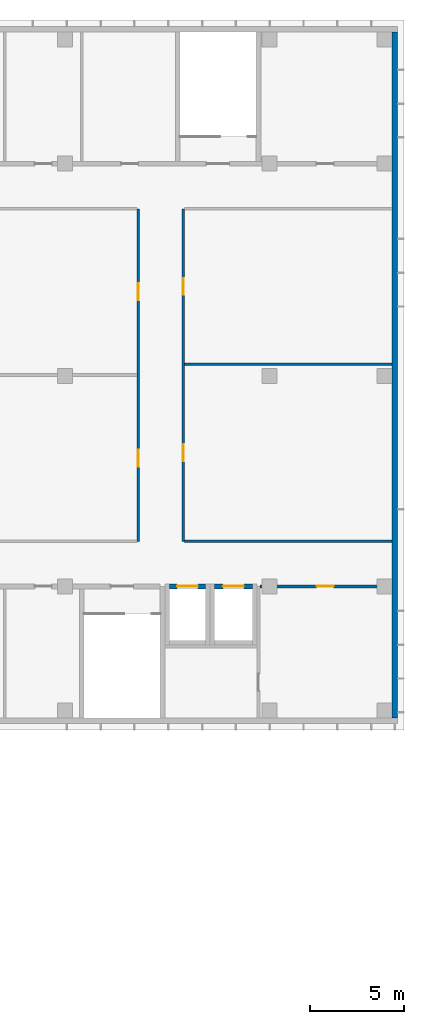
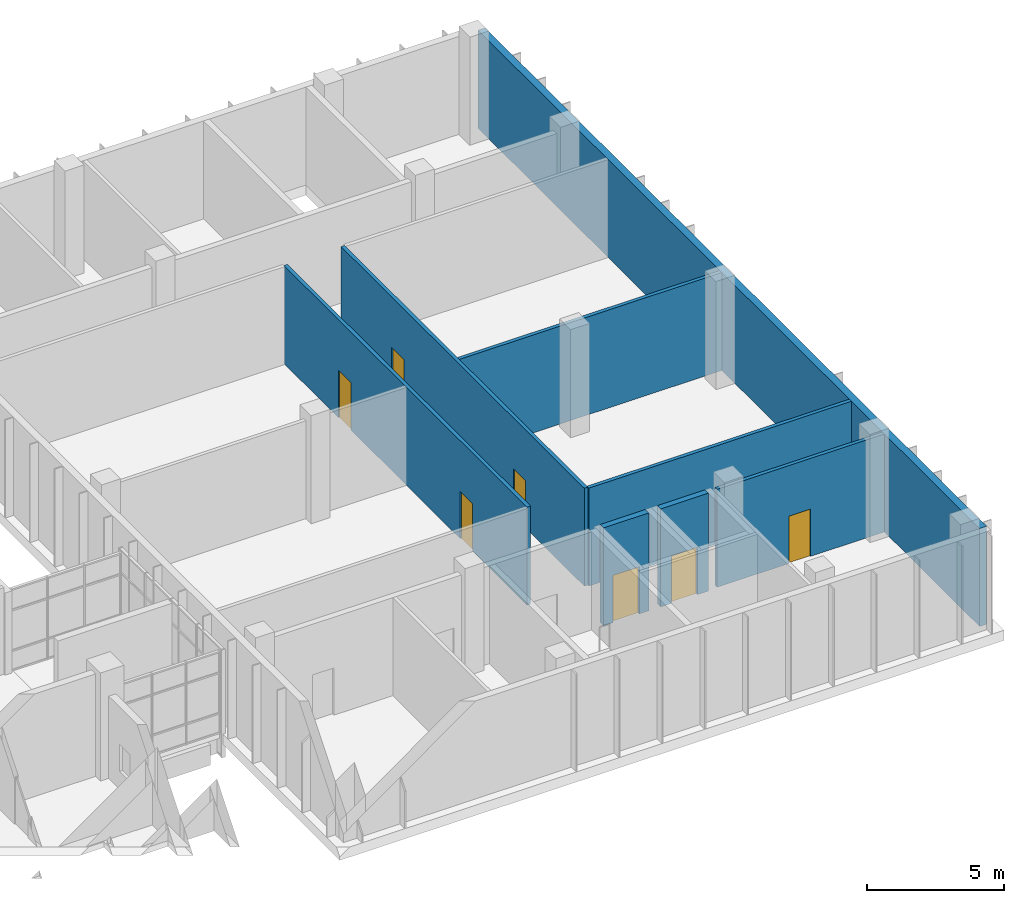
# One storey, part 36 of 45: 8 walls, 7 doors, 7 openings.
"""IFC4 building model written with IfcOpenShell, lengths in metres."""

from ifc_helpers import new_model, si_unit, direction, frame, frame_2d, origin, place, context, subcontext, project, spatial, rectangle, extrude, material, layer, layer_set, type_object, element, fill, save


model = new_model("IFC4")

# Units and contexts
model_context = context("Model", 3, precision=1e-05, world=origin(), true_north=direction((0.0, 1.0)))
body_context = subcontext(model_context, "Body", "Model", "MODEL_VIEW")
ifc_project = project(units=[si_unit("LENGTHUNIT", "METRE"), si_unit("AREAUNIT", "SQUARE_METRE"), si_unit("VOLUMEUNIT", "CUBIC_METRE"), si_unit("PLANEANGLEUNIT", "RADIAN"), si_unit("MASSUNIT", "GRAM", prefix="KILO")], contexts=[model_context])

# Site, building, storey
site_placement = place(None, origin())
site = spatial("IfcSite", under=ifc_project, at=site_placement, CompositionType="ELEMENT")
building_placement = place(site_placement, origin())
building = spatial("IfcBuilding", under=site, at=building_placement, Name="Basin Gate Institute", CompositionType="ELEMENT")
storey_placement = place(building_placement, frame((0.0, 0.0, 22.199951171875)))
storey = spatial("IfcBuildingStorey", under=building, at=storey_placement, Name="L04", CompositionType="ELEMENT", Elevation=22.199951171875)

# Wall
ifc_material_1 = material(Name="Insulated sandwich panel, mineral wool core, galvanised sheet faces")
ifc_layer_1 = layer(ifc_material_1, 0.300048828125)
ifc_layer_set_1 = layer_set([ifc_layer_1], Name="Clean block insulated panel wall W80 EI 60")
wall_type_1 = type_object("IfcWallType", Name="Clean block insulated panel wall W80 EI 60", PredefinedType="SOLIDWALL", material=ifc_layer_set_1)
wall_1_placement = place(storey_placement, frame((151.050048828125, 70.300048828125, 0.0), z_axis=(0.0, 0.0, 1.0), x_axis=(0.0, 1.0, 0.0)))
element("IfcWall", 1, at=wall_1_placement, inside=storey, type_object=wall_type_1, material=ifc_layer_set_1, Name="Clean block insulated panel wall east L04", PredefinedType="SOLIDWALL", context=body_context, shape_type="SweptSolid", body=[
    extrude(rectangle(XDim=36.5, YDim=0.300048828125, at=frame_2d((18.25, 0.0))), origin(), (0.0, 0.0, 1.0), 4.35009765625),
])

# Wall, opening, door
ifc_material_2 = material(Name="Gypsum board partition on steel studs, 60 minute", Category="steel")
ifc_layer_2 = layer(ifc_material_2, 0.14990234375)
ifc_layer_set_2 = layer_set([ifc_layer_2], Name="Gypsum board partition on steel studs, 60 minute")
wall_type_2 = type_object("IfcWallType", Name="Clean block partition PW72 EI 60", PredefinedType="SOLIDWALL", material=ifc_layer_set_2)
wall_2_placement = place(storey_placement, frame((143.875, 77.300048828125, 0.0), z_axis=(0.0, 0.0, 1.0), x_axis=(1.0, 0.0, 0.0)))
wall_2 = element("IfcWall", 2, at=wall_2_placement, inside=storey, type_object=wall_type_2, material=ifc_layer_set_2, Name="Clean block partition Cx7730-2 L04", PredefinedType="SOLIDWALL", context=body_context, shape_type="SweptSolid", body=[
    extrude(rectangle(XDim=7.02490234375, YDim=0.14990234375, at=frame_2d((3.512451171875, 0.0))), origin(), (0.0, 0.0, 1.0), 4.35009765625),
])
opening_1_placement = place(wall_2_placement, frame((3.02490234375, 0.0, 0.0)))
opening_1 = element("IfcOpeningElement", 3, at=opening_1_placement, cuts=wall_2, Name="Opening D1076", PredefinedType="OPENING", context=body_context, shape_type="SweptSolid", body=[
    extrude(rectangle(XDim=0.89990234375, YDim=2.10009765625, at=frame_2d((0.449951171875, 1.050048828125))), frame((0.0, 0.0849609375, 0.0), z_axis=(0.0, -1.0, 0.0), x_axis=(1.0, 0.0, 0.0)), (0.0, 0.0, 1.0), 0.169921875),
])
ifc_material_3 = material(Name="Timber door leaf in steel frame", Category="steel")
door_type_1 = type_object("IfcDoorType", Name="Block door 900 single swing", OperationType="NOTDEFINED", PredefinedType="DOOR", material=ifc_material_3)
door_1_placement = place(opening_1_placement, frame((0.89990234375, 0.0, 0.0), z_axis=(0.0, 0.0, 1.0), x_axis=(-1.0, 0.0, 0.0)))
door_1 = element("IfcDoor", 4, at=door_1_placement, inside=storey, type_object=door_type_1, material=ifc_material_3, Name="Plant Room 4 door L04", OperationType="SINGLE_SWING_RIGHT", OverallHeight=2.10009765625, OverallWidth=0.89990234375, PredefinedType="DOOR", context=body_context, shape_type="SweptSolid", body=[
    extrude(rectangle(XDim=0.89990234375, YDim=2.10009765625, at=frame_2d((0.449951171875, 1.050048828125))), frame((0.0, 0.02490234375, 0.0), z_axis=(0.0, -1.0, 0.0), x_axis=(1.0, 0.0, 0.0)), (0.0, 0.0, 1.0), 0.050048828125),
])
fill(opening_1, door_1)

# Walls
for number, where, z_axis, x_axis, name in (
    (5, (139.875, 79.699951171875, 0.0), (0.0, 0.0, 1.0), (1.0, 0.0, 0.0), "Clean block partition Cx7970-4 L04"),
    (6, (139.875, 89.125, 0.0), (0.0, 0.0, 1.0), (1.0, 0.0, 0.0), "Clean block partition Cx8912-6 L04"),
):
    element("IfcWall", number, at=place(storey_placement, frame(where, z_axis=z_axis, x_axis=x_axis)), inside=storey, type_object=wall_type_2, material=ifc_layer_set_2, Name=name, PredefinedType="SOLIDWALL", context=body_context, shape_type="SweptSolid", body=[
        extrude(rectangle(XDim=11.02490234375, YDim=0.14990234375, at=frame_2d((5.512451171875, 0.0))), origin(), (0.0, 0.0, 1.0), 4.35009765625),
    ])

# Wall, openings, doors
wall_3_placement = place(storey_placement, frame((137.39990234375, 79.699951171875, 0.0), z_axis=(0.0, 0.0, 1.0), x_axis=(0.0, 1.0, 0.0)))
wall_3 = element("IfcWall", 7, at=wall_3_placement, inside=storey, type_object=wall_type_2, material=ifc_layer_set_2, Name="Clean block partition Cy13740-14 L04", PredefinedType="SOLIDWALL", context=body_context, shape_type="SweptSolid", body=[
    extrude(rectangle(XDim=17.699951171875, YDim=0.14990234375, at=frame_2d((8.85009765625, 0.0))), origin(), (0.0, 0.0, 1.0), 4.35009765625),
])
opening_2_placement = place(wall_3_placement, frame((3.97509765625, 0.0, 0.0)))
opening_2 = element("IfcOpeningElement", 8, at=opening_2_placement, cuts=wall_3, Name="Opening D1077", PredefinedType="OPENING", context=body_context, shape_type="SweptSolid", body=[
    extrude(rectangle(XDim=0.89990234375, YDim=2.10009765625, at=frame_2d((0.449951171875, 1.050048828125))), frame((0.0, 0.0849609375, 0.0), z_axis=(0.0, -1.0, 0.0), x_axis=(1.0, 0.0, 0.0)), (0.0, 0.0, 1.0), 0.169921875),
])
opening_3_placement = place(wall_3_placement, frame((12.824951171875, 0.0, 0.0)))
opening_3 = element("IfcOpeningElement", 9, at=opening_3_placement, cuts=wall_3, Name="Opening D1078", PredefinedType="OPENING", context=body_context, shape_type="SweptSolid", body=[
    extrude(rectangle(XDim=0.89990234375, YDim=2.10009765625, at=frame_2d((0.449951171875, 1.050048828125))), frame((0.0, 0.0849609375, 0.0), z_axis=(0.0, -1.0, 0.0), x_axis=(1.0, 0.0, 0.0)), (0.0, 0.0, 1.0), 0.169921875),
])
door_2_placement = place(opening_2_placement, origin())
door_2 = element("IfcDoor", 10, at=door_2_placement, inside=storey, type_object=door_type_1, material=ifc_material_3, Name="Plant Room 5 door L04", OperationType="SINGLE_SWING_LEFT", OverallHeight=2.10009765625, OverallWidth=0.89990234375, PredefinedType="DOOR", context=body_context, shape_type="SweptSolid", body=[
    extrude(rectangle(XDim=0.89990234375, YDim=2.10009765625, at=frame_2d((0.449951171875, 1.050048828125))), frame((0.0, 0.02490234375, 0.0), z_axis=(0.0, -1.0, 0.0), x_axis=(1.0, 0.0, 0.0)), (0.0, 0.0, 1.0), 0.050048828125),
])
fill(opening_2, door_2)
door_3_placement = place(opening_3_placement, origin())
door_3 = element("IfcDoor", 11, at=door_3_placement, inside=storey, type_object=door_type_1, material=ifc_material_3, Name="Plant Room 6 door L04", OperationType="SINGLE_SWING_LEFT", OverallHeight=2.10009765625, OverallWidth=0.89990234375, PredefinedType="DOOR", context=body_context, shape_type="SweptSolid", body=[
    extrude(rectangle(XDim=0.89990234375, YDim=2.10009765625, at=frame_2d((0.449951171875, 1.050048828125))), frame((0.0, 0.02490234375, 0.0), z_axis=(0.0, -1.0, 0.0), x_axis=(1.0, 0.0, 0.0)), (0.0, 0.0, 1.0), 0.050048828125),
])
fill(opening_3, door_3)

wall_4_placement = place(storey_placement, frame((139.800048828125, 79.699951171875, 0.0), z_axis=(0.0, 0.0, 1.0), x_axis=(0.0, 1.0, 0.0)))
wall_4 = element("IfcWall", 12, at=wall_4_placement, inside=storey, type_object=wall_type_2, material=ifc_layer_set_2, Name="Clean block partition Cy13980-17 L04", PredefinedType="SOLIDWALL", context=body_context, shape_type="SweptSolid", body=[
    extrude(rectangle(XDim=17.699951171875, YDim=0.14990234375, at=frame_2d((8.85009765625, 0.0))), origin(), (0.0, 0.0, 1.0), 4.35009765625),
])
opening_4_placement = place(wall_4_placement, frame((4.262451171875, 0.0, 0.0)))
opening_4 = element("IfcOpeningElement", 13, at=opening_4_placement, cuts=wall_4, Name="Opening D1079", PredefinedType="OPENING", context=body_context, shape_type="SweptSolid", body=[
    extrude(rectangle(XDim=0.89990234375, YDim=2.10009765625, at=frame_2d((0.449951171875, 1.050048828125))), frame((0.0, 0.0849609375, 0.0), z_axis=(0.0, -1.0, 0.0), x_axis=(1.0, 0.0, 0.0)), (0.0, 0.0, 1.0), 0.169921875),
])
opening_5_placement = place(wall_4_placement, frame((13.112548828125, 0.0, 0.0)))
opening_5 = element("IfcOpeningElement", 14, at=opening_5_placement, cuts=wall_4, Name="Opening D1080", PredefinedType="OPENING", context=body_context, shape_type="SweptSolid", body=[
    extrude(rectangle(XDim=0.89990234375, YDim=2.10009765625, at=frame_2d((0.449951171875, 1.050048828125))), frame((0.0, 0.0849609375, 0.0), z_axis=(0.0, -1.0, 0.0), x_axis=(1.0, 0.0, 0.0)), (0.0, 0.0, 1.0), 0.169921875),
])
door_4_placement = place(opening_4_placement, frame((0.89990234375, 0.0, 0.0), z_axis=(0.0, 0.0, 1.0), x_axis=(-1.0, 0.0, 0.0)))
door_4 = element("IfcDoor", 15, at=door_4_placement, inside=storey, type_object=door_type_1, material=ifc_material_3, Name="Plant Room 7 door L04", OperationType="SINGLE_SWING_RIGHT", OverallHeight=2.10009765625, OverallWidth=0.89990234375, PredefinedType="DOOR", context=body_context, shape_type="SweptSolid", body=[
    extrude(rectangle(XDim=0.89990234375, YDim=2.10009765625, at=frame_2d((0.449951171875, 1.050048828125))), frame((0.0, 0.02490234375, 0.0), z_axis=(0.0, -1.0, 0.0), x_axis=(1.0, 0.0, 0.0)), (0.0, 0.0, 1.0), 0.050048828125),
])
fill(opening_4, door_4)
door_5_placement = place(opening_5_placement, frame((0.89990234375, 0.0, 0.0), z_axis=(0.0, 0.0, 1.0), x_axis=(-1.0, 0.0, 0.0)))
door_5 = element("IfcDoor", 16, at=door_5_placement, inside=storey, type_object=door_type_1, material=ifc_material_3, Name="Plant Room 8 door L04", OperationType="SINGLE_SWING_RIGHT", OverallHeight=2.10009765625, OverallWidth=0.89990234375, PredefinedType="DOOR", context=body_context, shape_type="SweptSolid", body=[
    extrude(rectangle(XDim=0.89990234375, YDim=2.10009765625, at=frame_2d((0.449951171875, 1.050048828125))), frame((0.0, 0.02490234375, 0.0), z_axis=(0.0, -1.0, 0.0), x_axis=(1.0, 0.0, 0.0)), (0.0, 0.0, 1.0), 0.050048828125),
])
fill(opening_5, door_5)

# Wall, opening, door
ifc_material_4 = material(Name="Concrete 40 MPa", Category="concrete")
ifc_layer_3 = layer(ifc_material_4, 0.25)
ifc_layer_set_3 = layer_set([ifc_layer_3], Name="Concrete 40 MPa")
wall_type_3 = type_object("IfcWallType", Name="Lift shaft enclosure wall W76 EI 120", PredefinedType="SOLIDWALL", material=ifc_layer_set_3)
wall_5_placement = place(storey_placement, frame((139.074951171875, 77.300048828125, 0.0), z_axis=(0.0, 0.0, 1.0), x_axis=(1.0, 0.0, 0.0)))
wall_5 = element("IfcWall", 17, at=wall_5_placement, inside=storey, type_object=wall_type_3, material=ifc_layer_set_3, Name="Lift shaft enclosure LP8 N L04", PredefinedType="SOLIDWALL", context=body_context, shape_type="SweptSolid", body=[
    extrude(rectangle(XDim=1.900146484375, YDim=0.25, at=frame_2d((0.9501953125, 0.0))), origin(), (0.0, 0.0, 1.0), 4.35009765625),
])
opening_6_placement = place(wall_5_placement, frame((0.39990234375, 0.0, 0.0)))
opening_6 = element("IfcOpeningElement", 18, at=opening_6_placement, cuts=wall_5, Name="Opening LW49", PredefinedType="OPENING", context=body_context, shape_type="SweptSolid", body=[
    extrude(rectangle(XDim=1.10009765625, YDim=2.10009765625, at=frame_2d((0.550048828125, 1.050048828125))), frame((0.0, 0.135009765625, 0.0), z_axis=(0.0, -1.0, 0.0), x_axis=(1.0, 0.0, 0.0)), (0.0, 0.0, 1.0), 0.27001953125),
])
ifc_material_5 = material(Name="Stainless steel", Category="steel")
door_type_2 = type_object("IfcDoorType", Name="FD60 Lift landing door LD", OperationType="SLIDING_TO_LEFT", PredefinedType="DOOR", material=ifc_material_5)
door_6_placement = place(opening_6_placement, origin())
door_6 = element("IfcDoor", 19, at=door_6_placement, inside=storey, type_object=door_type_2, material=ifc_material_5, Name="Lift landing door LP8 L04", OperationType="SLIDING_TO_LEFT", OverallHeight=2.10009765625, OverallWidth=1.10009765625, PredefinedType="DOOR", context=body_context, shape_type="SweptSolid", body=[
    extrude(rectangle(XDim=1.10009765625, YDim=2.10009765625, at=frame_2d((0.550048828125, 1.050048828125))), frame((0.0, 0.02490234375, 0.0), z_axis=(0.0, -1.0, 0.0), x_axis=(1.0, 0.0, 0.0)), (0.0, 0.0, 1.0), 0.050048828125),
])
fill(opening_6, door_6)

wall_6_placement = place(storey_placement, frame((141.47509765625, 77.300048828125, 0.0), z_axis=(0.0, 0.0, 1.0), x_axis=(1.0, 0.0, 0.0)))
wall_6 = element("IfcWall", 20, at=wall_6_placement, inside=storey, type_object=wall_type_3, material=ifc_layer_set_3, Name="Lift shaft enclosure LG1 N L04", PredefinedType="SOLIDWALL", context=body_context, shape_type="SweptSolid", body=[
    extrude(rectangle(XDim=2.0, YDim=0.25, at=frame_2d((1.0, 0.0))), origin(), (0.0, 0.0, 1.0), 4.35009765625),
])
opening_7_placement = place(wall_6_placement, frame((0.449951171875, 0.0, 0.0)))
opening_7 = element("IfcOpeningElement", 21, at=opening_7_placement, cuts=wall_6, Name="Opening LW50", PredefinedType="OPENING", context=body_context, shape_type="SweptSolid", body=[
    extrude(rectangle(XDim=1.10009765625, YDim=2.10009765625, at=frame_2d((0.550048828125, 1.050048828125))), frame((0.0, 0.135009765625, 0.0), z_axis=(0.0, -1.0, 0.0), x_axis=(1.0, 0.0, 0.0)), (0.0, 0.0, 1.0), 0.27001953125),
])
door_7_placement = place(opening_7_placement, origin())
door_7 = element("IfcDoor", 22, at=door_7_placement, inside=storey, type_object=door_type_2, material=ifc_material_5, Name="Lift landing door LG1 L04", OperationType="SLIDING_TO_LEFT", OverallHeight=2.10009765625, OverallWidth=1.10009765625, PredefinedType="DOOR", context=body_context, shape_type="SweptSolid", body=[
    extrude(rectangle(XDim=1.10009765625, YDim=2.10009765625, at=frame_2d((0.550048828125, 1.050048828125))), frame((0.0, 0.02490234375, 0.0), z_axis=(0.0, -1.0, 0.0), x_axis=(1.0, 0.0, 0.0)), (0.0, 0.0, 1.0), 0.050048828125),
])
fill(opening_7, door_7)

save(model, "model.ifc")
